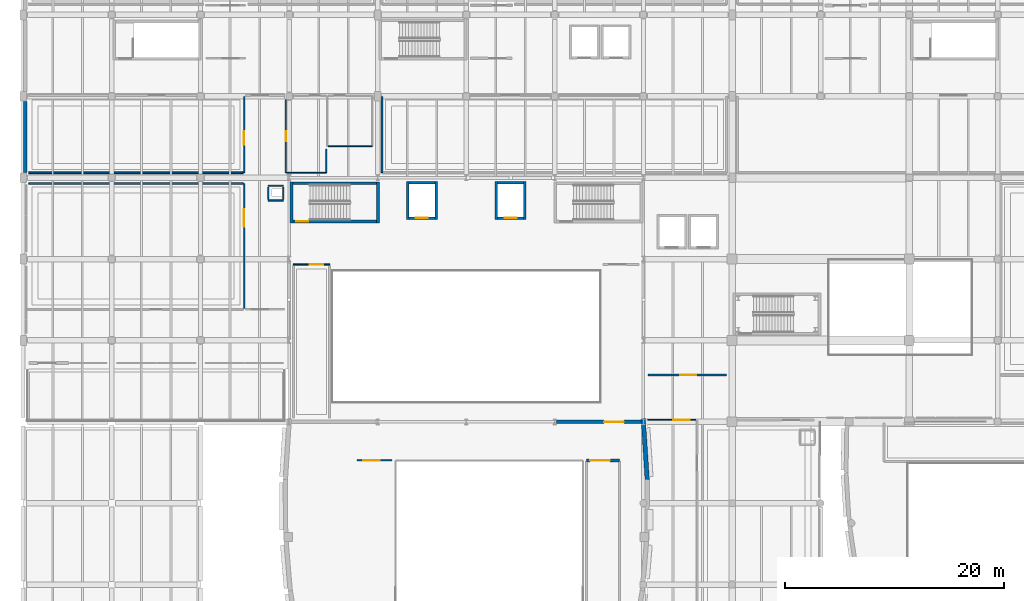
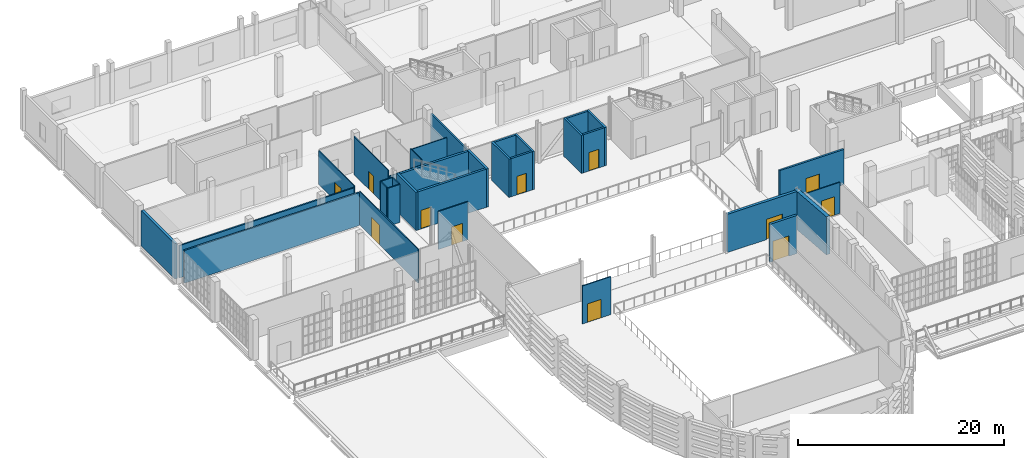
# One storey, part 88 of 104: 33 walls, 12 doors, 12 openings.
"""IFC4 building model written with IfcOpenShell, lengths in metres."""

from ifc_helpers import new_model, si_unit, direction, frame, frame_2d, origin, place, context, subcontext, project, spatial, rectangle, extrude, material, layer, layer_set, type_object, element, fill, save


model = new_model("IFC4")

# Units and contexts
model_context = context("Model", 3, precision=1e-05, world=origin(), true_north=direction((0.0, 1.0)))
body_context = subcontext(model_context, "Body", "Model", "MODEL_VIEW")
ifc_project = project(units=[si_unit("LENGTHUNIT", "METRE"), si_unit("AREAUNIT", "SQUARE_METRE"), si_unit("VOLUMEUNIT", "CUBIC_METRE"), si_unit("PLANEANGLEUNIT", "RADIAN"), si_unit("MASSUNIT", "GRAM", prefix="KILO")], contexts=[model_context])

# Site, building, storey
site_placement = place(None, origin())
site = spatial("IfcSite", under=ifc_project, at=site_placement, CompositionType="ELEMENT")
building_placement = place(site_placement, origin())
building = spatial("IfcBuilding", under=site, at=building_placement, Name="Kaelora Sail Theatre", CompositionType="ELEMENT")
storey_placement = place(building_placement, frame((0.0, 0.0, 5.39990234375)))
storey = spatial("IfcBuildingStorey", under=building, at=storey_placement, Name="L01", CompositionType="ELEMENT", Elevation=5.39990234375)

# Wall, opening, door
ifc_material_1 = material(Name="Concrete C40/50", Category="concrete")
ifc_layer_1 = layer(ifc_material_1, 0.25)
ifc_layer_set_1 = layer_set([ifc_layer_1], Name="Concrete C40/50")
wall_type_1 = type_object("IfcWallType", Name="ARC-WL-CW-250", PredefinedType="SHEAR", material=ifc_layer_set_1)
wall_1_placement = place(storey_placement, frame((26.155029296875, 79.324951171875, 0.0), z_axis=(0.0, 0.0, 1.0), x_axis=(1.0, 0.0, 0.0)))
wall_1 = element("IfcWall", 1, at=wall_1_placement, inside=storey, type_object=wall_type_1, Name="Stair shaft ST-K1 wall L01-S", PredefinedType="SHEAR", context=body_context, shape_type="SweptSolid", body=[
    extrude(rectangle(XDim=7.639892578125, YDim=0.25, at=frame_2d((3.81982421875, 0.0))), origin(), (0.0, 0.0, 1.0), 4.525146484375),
])
opening_1_placement = place(wall_1_placement, frame((0.320068359375, 0.0, 0.0)))
opening_1 = element("IfcOpeningElement", 2, at=opening_1_placement, cuts=wall_1, Name="Opening FD-02", PredefinedType="OPENING", context=body_context, shape_type="SweptSolid", body=[
    extrude(rectangle(XDim=1.10009765625, YDim=2.199951171875, at=frame_2d((0.550048828125, 1.10009765625))), frame((0.0, 0.135, 0.0), z_axis=(0.0, -1.0, 0.0), x_axis=(1.0, 0.0, 0.0)), (0.0, 0.0, 1.0), 0.27),
])
ifc_material_2 = material(Name="Acoustic steel single stair/lobby fire door EI 90-C", Category="steel")
door_type_1 = type_object("IfcDoorType", Name="ARC-DR-FD-02", OperationType="NOTDEFINED", PredefinedType="DOOR", material=ifc_material_2)
door_1_placement = place(opening_1_placement, origin())
door_1 = element("IfcDoor", 3, at=door_1_placement, inside=storey, type_object=door_type_1, Name="Stair ST-K1 door (L01)", OperationType="SINGLE_SWING_RIGHT", OverallHeight=2.199951171875, OverallWidth=1.10009765625, PredefinedType="DOOR", context=body_context, shape_type="SweptSolid", body=[
    extrude(rectangle(XDim=1.10009765625, YDim=2.199951171875, at=frame_2d((0.550048828125, 1.10009765625))), frame((0.0, 0.02490234375, 0.0), z_axis=(0.0, -1.0, 0.0), x_axis=(1.0, 0.0, 0.0)), (0.0, 0.0, 1.0), 0.050048828125),
])
fill(opening_1, door_1)

# Walls
wall_2_placement = place(storey_placement, frame((26.155029296875, 82.824951171875, 0.0), z_axis=(0.0, 0.0, 1.0), x_axis=(1.0, 0.0, 0.0)))
element("IfcWall", 4, at=wall_2_placement, inside=storey, type_object=wall_type_1, Name="Stair shaft ST-K1 wall L01-N", PredefinedType="SHEAR", context=body_context, shape_type="SweptSolid", body=[
    extrude(rectangle(XDim=7.639892578125, YDim=0.25, at=frame_2d((3.81982421875, 0.0))), origin(), (0.0, 0.0, 1.0), 4.525146484375),
])
for number, where, z_axis, x_axis, name in (
    (5, (26.02490234375, 79.199951171875, 0.0), (0.0, 0.0, 1.0), (0.0, 1.0, 0.0), "Stair shaft ST-K1 wall L01-W"),
    (6, (33.925048828125, 79.199951171875, 0.0), (0.0, 0.0, 1.0), (0.0, 1.0, 0.0), "Stair shaft ST-K1 wall L01-E"),
):
    element("IfcWall", number, at=place(storey_placement, frame(where, z_axis=z_axis, x_axis=x_axis)), inside=storey, type_object=wall_type_1, Name=name, PredefinedType="SHEAR", context=body_context, shape_type="SweptSolid", body=[
        extrude(rectangle(XDim=3.75, YDim=0.25, at=frame_2d((1.875, 0.0))), origin(), (0.0, 0.0, 1.0), 4.525146484375),
    ])

# Wall, opening, door
ifc_material_3 = material(Name="Concrete C45/55", Category="concrete")
ifc_layer_2 = layer(ifc_material_3, 0.300048828125)
ifc_layer_set_2 = layer_set([ifc_layer_2], Name="Concrete C45/55")
wall_type_2 = type_object("IfcWallType", Name="ARC-WL-CW-300", PredefinedType="SHEAR", material=ifc_layer_set_2)
wall_3_placement = place(storey_placement, frame((50.251953125, 61.02001953125, 0.0), z_axis=(0.0, 0.0, 1.0), x_axis=(1.0, 0.0, 0.0)))
wall_3 = element("IfcWall", 7, at=wall_3_placement, inside=storey, type_object=wall_type_2, Name="Proscenium fire wall L01-E", PredefinedType="SHEAR", context=body_context, shape_type="SweptSolid", body=[
    extrude(rectangle(XDim=7.796142578125, YDim=0.300048828125, at=frame_2d((3.89794921875, 0.0))), origin(), (0.0, 0.0, 1.0), 4.525146484375),
])
opening_2_placement = place(wall_3_placement, frame((4.35009765625, 0.0, 0.0)))
opening_2 = element("IfcOpeningElement", 8, at=opening_2_placement, cuts=wall_3, Name="Opening FD-03", PredefinedType="OPENING", context=body_context, shape_type="SweptSolid", body=[
    extrude(rectangle(XDim=1.800048828125, YDim=2.39990234375, at=frame_2d((0.89990234375, 1.199951171875))), frame((0.0, 0.159902, 0.0), z_axis=(0.0, -1.0, 0.0), x_axis=(1.0, 0.0, 0.0)), (0.0, 0.0, 1.0), 0.320049),
])
ifc_material_4 = material(Name="Auditorium acoustic double sound-lock fire door FD60S", Category="steel")
door_type_2 = type_object("IfcDoorType", Name="ARC-DR-FD-03", OperationType="NOTDEFINED", PredefinedType="DOOR", material=ifc_material_4)
door_2_placement = place(opening_2_placement, origin())
door_2 = element("IfcDoor", 9, at=door_2_placement, inside=storey, type_object=door_type_2, Name="Stage-to-Auditorium Fire Door L01", OperationType="DOUBLE_DOOR_SINGLE_SWING", OverallHeight=2.39990234375, OverallWidth=1.800048828125, PredefinedType="DOOR", context=body_context, shape_type="SweptSolid", body=[
    extrude(rectangle(XDim=1.800048828125, YDim=2.39990234375, at=frame_2d((0.89990234375, 1.199951171875))), frame((0.0, 0.02490234375, 0.0), z_axis=(0.0, -1.0, 0.0), x_axis=(1.0, 0.0, 0.0)), (0.0, 0.0, 1.0), 0.050048828125),
])
fill(opening_2, door_2)

# Walls
ifc_material_5 = material(Name="Concrete C50/60", Category="concrete")
ifc_layer_3 = layer(ifc_material_5, 0.39990234375)
ifc_layer_set_3 = layer_set([ifc_layer_3], Name="Concrete C50/60")
wall_type_3 = type_object("IfcWallType", Name="ARC-WL-DW-400", PredefinedType="SHEAR", material=ifc_layer_set_3)
wall_4_placement = place(storey_placement, frame((58.181884765625, 61.29931640625, 0.0), z_axis=(0.0, 0.0, 1.0), x_axis=(0.064519893008, -0.997916421053, 0.0)))
element("IfcWall", 10, at=wall_4_placement, inside=storey, type_object=wall_type_3, Name="Main Theatre Sail Drum curved drum acoustic wall L01 chord 1", PredefinedType="SHEAR", context=body_context, shape_type="SweptSolid", body=[
    extrude(rectangle(XDim=5.585205078125, YDim=0.39990234375, at=frame_2d((2.79248046875, 0.0))), origin(), (0.0, 0.0, 1.0), 4.525146484375),
])
ifc_material_6 = material(Name="Precast concrete C45/55", Category="concrete")
ifc_layer_4 = layer(ifc_material_6, 0.280029296875)
ifc_layer_set_4 = layer_set([ifc_layer_4], Name="Precast concrete C45/55")
wall_type_4 = type_object("IfcWallType", Name="ARC-WL-EW-280", PredefinedType="SOLIDWALL", material=ifc_layer_set_4)
wall_5_placement = place(storey_placement, frame((1.679931640625, 83.794921875, 0.0), z_axis=(0.0, 0.0, 1.0), x_axis=(0.0, 1.0, 0.0)))
element("IfcWall", 11, at=wall_5_placement, inside=storey, type_object=wall_type_4, Name="Stepped Wing Facade Wall WWAL-NW1-L01-S1", PredefinedType="SOLIDWALL", context=body_context, shape_type="SweptSolid", body=[
    extrude(rectangle(XDim=6.530029296875, YDim=0.280029296875, at=frame_2d((3.26513671875, 0.0))), origin(), (0.0, 0.0, 1.0), 4.18701171875),
])

# Wall, opening, door
ifc_material_7 = material(Name="Sanitary moisture-resistant partition 100 mm", Category="gypsum")
ifc_layer_5 = layer(ifc_material_7, 0.10009765625)
ifc_layer_set_5 = layer_set([ifc_layer_5], Name="Sanitary moisture-resistant partition 100 mm")
wall_type_5 = type_object("IfcWallType", Name="ARC-WL-PT-100", PredefinedType="PARTITIONING", material=ifc_layer_set_5)
wall_6_placement = place(storey_placement, frame((21.699951171875, 71.39990234375, 0.0), z_axis=(0.0, 0.0, 1.0), x_axis=(0.0, 1.0, 0.0)))
wall_6 = element("IfcWall", 12, at=wall_6_placement, inside=storey, type_object=wall_type_5, Name="Interior acoustic partition L01-FOY-WEST/L01-COR-NLINKW", PredefinedType="PARTITIONING", context=body_context, shape_type="SweptSolid", body=[
    extrude(rectangle(XDim=11.400146484375, YDim=0.10009765625, at=frame_2d((5.7001953125, 0.0))), origin(), (0.0, 0.0, 1.0), 3.987060546875),
])
opening_3_placement = place(wall_6_placement, frame((7.452880859375, 0.0, 0.0)))
opening_3 = element("IfcOpeningElement", 13, at=opening_3_placement, cuts=wall_6, Name="Opening ID-04", PredefinedType="OPENING", context=body_context, shape_type="SweptSolid", body=[
    extrude(rectangle(XDim=1.60009765625, YDim=2.300048828125, at=frame_2d((0.800048828125, 1.14990234375))), frame((0.0, 0.060049, 0.0), z_axis=(0.0, -1.0, 0.0), x_axis=(1.0, 0.0, 0.0)), (0.0, 0.0, 1.0), 0.120098),
])
ifc_material_8 = material(Name="Rehearsal hall acoustic timber double door", Category="wood")
door_type_3 = type_object("IfcDoorType", Name="ARC-DR-ID-04", OperationType="NOTDEFINED", PredefinedType="DOOR", material=ifc_material_8)
door_3_placement = place(opening_3_placement, origin())
door_3 = element("IfcDoor", 14, at=door_3_placement, inside=storey, type_object=door_type_3, Name="Interior door L01-FOY-WEST to L01-COR-NLINKW", OperationType="DOUBLE_DOOR_SINGLE_SWING", OverallHeight=2.300048828125, OverallWidth=1.60009765625, PredefinedType="DOOR", context=body_context, shape_type="SweptSolid", body=[
    extrude(rectangle(XDim=1.60009765625, YDim=2.300048828125, at=frame_2d((0.800048828125, 1.14990234375))), frame((0.0, 0.02490234375, 0.0), z_axis=(0.0, -1.0, 0.0), x_axis=(1.0, 0.0, 0.0)), (0.0, 0.0, 1.0), 0.050048828125),
])
fill(opening_3, door_3)

wall_7_placement = place(storey_placement, frame((25.5, 83.800048828125, 0.0), z_axis=(0.0, 0.0, 1.0), x_axis=(0.0, 1.0, 0.0)))
wall_7 = element("IfcWall", 15, at=wall_7_placement, inside=storey, type_object=wall_type_5, Name="Interior acoustic partition L01-COR-NLINKW/L01-WC-ART", PredefinedType="PARTITIONING", context=body_context, shape_type="SweptSolid", body=[
    extrude(rectangle(XDim=6.675048828125, YDim=0.10009765625, at=frame_2d((3.33740234375, 0.0))), origin(), (0.0, 0.0, 1.0), 4.505126953125),
])
opening_4_placement = place(wall_7_placement, frame((2.886962890625, 0.0, 0.0)))
opening_4 = element("IfcOpeningElement", 16, at=opening_4_placement, cuts=wall_7, Name="Opening ID-03", PredefinedType="OPENING", context=body_context, shape_type="SweptSolid", body=[
    extrude(rectangle(XDim=0.89990234375, YDim=2.10009765625, at=frame_2d((0.449951171875, 1.050048828125))), frame((0.0, 0.060049, 0.0), z_axis=(0.0, -1.0, 0.0), x_axis=(1.0, 0.0, 0.0)), (0.0, 0.0, 1.0), 0.120098),
])
ifc_material_9 = material(Name="Accessible sanitary laminate door", Category="timber")
door_type_4 = type_object("IfcDoorType", Name="ARC-DR-ID-03", OperationType="NOTDEFINED", PredefinedType="DOOR", material=ifc_material_9)
door_4_placement = place(opening_4_placement, origin())
door_4 = element("IfcDoor", 17, at=door_4_placement, inside=storey, type_object=door_type_4, Name="Interior door L01-COR-NLINKW to L01-WC-ART", OperationType="SINGLE_SWING_RIGHT", OverallHeight=2.10009765625, OverallWidth=0.89990234375, PredefinedType="DOOR", context=body_context, shape_type="SweptSolid", body=[
    extrude(rectangle(XDim=0.89990234375, YDim=2.10009765625, at=frame_2d((0.449951171875, 1.050048828125))), frame((0.0, 0.02490234375, 0.0), z_axis=(0.0, -1.0, 0.0), x_axis=(1.0, 0.0, 0.0)), (0.0, 0.0, 1.0), 0.050048828125),
])
fill(opening_4, door_4)

wall_8_placement = place(storey_placement, frame((58.60009765625, 61.199951171875, 0.0), z_axis=(0.0, 0.0, 1.0), x_axis=(1.0, 0.0, 0.0)))
wall_8 = element("IfcWall", 18, at=wall_8_placement, inside=storey, type_object=wall_type_5, Name="Interior acoustic partition L01-COR-INTER1/L01-COR-FOYC", PredefinedType="PARTITIONING", context=body_context, shape_type="SweptSolid", body=[
    extrude(rectangle(XDim=4.39990234375, YDim=0.10009765625, at=frame_2d((2.199951171875, 0.0))), origin(), (0.0, 0.0, 1.0), 3.68701171875),
])
opening_5_placement = place(wall_8_placement, frame((2.320068359375, 0.0, 0.0)))
opening_5 = element("IfcOpeningElement", 19, at=opening_5_placement, cuts=wall_8, Name="Opening FD-01", PredefinedType="OPENING", context=body_context, shape_type="SweptSolid", body=[
    extrude(rectangle(XDim=1.5, YDim=2.199951171875, at=frame_2d((0.75, 1.10009765625))), frame((0.0, 0.060049, 0.0), z_axis=(0.0, -1.0, 0.0), x_axis=(1.0, 0.0, 0.0)), (0.0, 0.0, 1.0), 0.120098),
])
ifc_material_10 = material(Name="Acoustic steel double fire door EI 90-C", Category="steel")
door_type_5 = type_object("IfcDoorType", Name="ARC-DR-FD-01", OperationType="NOTDEFINED", PredefinedType="DOOR", material=ifc_material_10)
door_5_placement = place(opening_5_placement, origin())
door_5 = element("IfcDoor", 20, at=door_5_placement, inside=storey, type_object=door_type_5, Name="Interior door L01-COR-INTER1 to L01-COR-FOYC", OperationType="DOUBLE_DOOR_SINGLE_SWING", OverallHeight=2.199951171875, OverallWidth=1.5, PredefinedType="DOOR", context=body_context, shape_type="SweptSolid", body=[
    extrude(rectangle(XDim=1.5, YDim=2.199951171875, at=frame_2d((0.75, 1.10009765625))), frame((0.0, 0.02490234375, 0.0), z_axis=(0.0, -1.0, 0.0), x_axis=(1.0, 0.0, 0.0)), (0.0, 0.0, 1.0), 0.050048828125),
])
fill(opening_5, door_5)

# Walls
wall_9_placement = place(storey_placement, frame((25.60009765625, 83.800048828125, 0.0), z_axis=(0.0, 0.0, 1.0), x_axis=(1.0, 0.0, 0.0)))
element("IfcWall", 21, at=wall_9_placement, inside=storey, type_object=wall_type_5, Name="Room enclosure wall L01-WC-ART-S1", PredefinedType="PARTITIONING", context=body_context, shape_type="SweptSolid", body=[
    extrude(rectangle(XDim=3.599853515625, YDim=0.10009765625, at=frame_2d((1.7998046875, 0.0))), origin(), (0.0, 0.0, 1.0), 3.837158203125),
])
wall_10_placement = place(storey_placement, frame((29.199951171875, 83.800048828125, 0.0), z_axis=(0.0, 0.0, 1.0), x_axis=(0.0, 1.0, 0.0)))
element("IfcWall", 22, at=wall_10_placement, inside=storey, type_object=wall_type_5, Name="Room enclosure wall L01-WC-ART-E1", PredefinedType="PARTITIONING", context=body_context, shape_type="SweptSolid", body=[
    extrude(rectangle(XDim=2.14990234375, YDim=0.10009765625, at=frame_2d((1.074951171875, 0.0))), origin(), (0.0, 0.0, 1.0), 4.505126953125),
])
wall_11_placement = place(storey_placement, frame((29.39990234375, 86.199951171875, 0.0), z_axis=(0.0, 0.0, 1.0), x_axis=(1.0, 0.0, 0.0)))
element("IfcWall", 23, at=wall_11_placement, inside=storey, type_object=wall_type_5, Name="Room enclosure wall L01-WC-ARTACC-S1", PredefinedType="PARTITIONING", context=body_context, shape_type="SweptSolid", body=[
    extrude(rectangle(XDim=4.0, YDim=0.10009765625, at=frame_2d((2.0, 0.0))), origin(), (0.0, 0.0, 1.0), 4.18701171875),
])

# Wall, opening, door
ifc_material_11 = material(Name="Office acoustic stud partition 110 mm", Category="gypsum")
ifc_layer_6 = layer(ifc_material_11, 0.110107421875)
ifc_layer_set_6 = layer_set([ifc_layer_6], Name="Office acoustic stud partition 110 mm")
wall_type_6 = type_object("IfcWallType", Name="ARC-WL-PT-110", PredefinedType="PARTITIONING", material=ifc_layer_set_6)
wall_12_placement = place(storey_placement, frame((21.699951171875, 83.800048828125, 0.0), z_axis=(0.0, 0.0, 1.0), x_axis=(0.0, 1.0, 0.0)))
wall_12 = element("IfcWall", 24, at=wall_12_placement, inside=storey, type_object=wall_type_6, Name="Interior acoustic partition L01-COR-NLINKW/L01-VOCAL-W", PredefinedType="PARTITIONING", context=body_context, shape_type="SweptSolid", body=[
    extrude(rectangle(XDim=6.949951171875, YDim=0.110107421875, at=frame_2d((3.47509765625, 0.0))), origin(), (0.0, 0.0, 1.0), 3.987060546875),
])
opening_6_placement = place(wall_12_placement, frame((2.553955078125, 0.0, 0.0)))
opening_6 = element("IfcOpeningElement", 25, at=opening_6_placement, cuts=wall_12, Name="Opening ID-11", PredefinedType="OPENING", context=body_context, shape_type="SweptSolid", body=[
    extrude(rectangle(XDim=1.25, YDim=2.14990234375, at=frame_2d((0.625, 1.074951171875))), frame((0.0, 0.065176, 0.0), z_axis=(0.0, -1.0, 0.0), x_axis=(1.0, 0.0, 0.0)), (0.0, 0.0, 1.0), 0.130107),
])
ifc_material_12 = material(Name="Plant & rack room steel single door", Category="steel")
door_type_6 = type_object("IfcDoorType", Name="ARC-DR-ID-11", OperationType="NOTDEFINED", PredefinedType="DOOR", material=ifc_material_12)
door_6_placement = place(opening_6_placement, origin())
door_6 = element("IfcDoor", 26, at=door_6_placement, inside=storey, type_object=door_type_6, Name="Interior door L01-COR-NLINKW to L01-VOCAL-W", OperationType="SINGLE_SWING_LEFT", OverallHeight=2.14990234375, OverallWidth=1.25, PredefinedType="DOOR", context=body_context, shape_type="SweptSolid", body=[
    extrude(rectangle(XDim=1.25, YDim=2.14990234375, at=frame_2d((0.625, 1.074951171875))), frame((0.0, 0.02490234375, 0.0), z_axis=(0.0, -1.0, 0.0), x_axis=(1.0, 0.0, 0.0)), (0.0, 0.0, 1.0), 0.050048828125),
])
fill(opening_6, door_6)

# Walls
ifc_material_13 = material(Name="Standard metal-stud partition 120 mm", Category="gypsum")
ifc_layer_7 = layer(ifc_material_13, 0.1201171875)
ifc_layer_set_7 = layer_set([ifc_layer_7], Name="Standard metal-stud partition 120 mm")
wall_type_7 = type_object("IfcWallType", Name="ARC-WL-PT-120", PredefinedType="PARTITIONING", material=ifc_layer_set_7)
for number, where, z_axis, x_axis, name in (
    (27, (23.905029296875, 81.2451171875, 0.0), (0.0, 0.0, 1.0), (1.0, 0.0, 0.0), "MEP riser shaft wall FW1-L01-S"),
    (28, (23.905029296875, 82.60498046875, 0.0), (0.0, 0.0, 1.0), (1.0, 0.0, 0.0), "MEP riser shaft wall FW1-L01-N"),
):
    element("IfcWall", number, at=place(storey_placement, frame(where, z_axis=z_axis, x_axis=x_axis)), inside=storey, type_object=wall_type_7, Name=name, PredefinedType="PARTITIONING", context=body_context, shape_type="SweptSolid", body=[
        extrude(rectangle(XDim=1.35986328125, YDim=0.1201171875, at=frame_2d((0.679931640625, 0.0))), origin(), (0.0, 0.0, 1.0), 4.505126953125),
    ])
for number, where, z_axis, x_axis, name in (
    (29, (23.905029296875, 81.364990234375, 0.0), (0.0, 0.0, 1.0), (0.0, 1.0, 0.0), "MEP riser shaft wall FW1-L01-W"),
    (30, (25.264892578125, 81.364990234375, 0.0), (0.0, 0.0, 1.0), (0.0, 1.0, 0.0), "MEP riser shaft wall FW1-L01-E"),
):
    element("IfcWall", number, at=place(storey_placement, frame(where, z_axis=z_axis, x_axis=x_axis)), inside=storey, type_object=wall_type_7, Name=name, PredefinedType="PARTITIONING", context=body_context, shape_type="SweptSolid", body=[
        extrude(rectangle(XDim=1.1201171875, YDim=0.1201171875, at=frame_2d((0.56005859375, 0.0))), origin(), (0.0, 0.0, 1.0), 4.505126953125),
    ])

# Wall, opening, door
wall_13_placement = place(storey_placement, frame((26.199951171875, 75.39990234375, 0.0), z_axis=(0.0, 0.0, 1.0), x_axis=(1.0, 0.0, 0.0)))
wall_13 = element("IfcWall", 31, at=wall_13_placement, inside=storey, type_object=wall_type_7, Name="Interior acoustic partition L01-FLY-GAL1/L01-COR-FLY", PredefinedType="PARTITIONING", context=body_context, shape_type="SweptSolid", body=[
    extrude(rectangle(XDim=3.300048828125, YDim=0.1201171875, at=frame_2d((1.64990234375, 0.0))), origin(), (0.0, 0.0, 1.0), 4.505126953125),
])
opening_7_placement = place(wall_13_placement, frame((1.469970703125, 0.0, 0.0)))
opening_7 = element("IfcOpeningElement", 32, at=opening_7_placement, cuts=wall_13, Name="Opening ID-11", PredefinedType="OPENING", context=body_context, shape_type="SweptSolid", body=[
    extrude(rectangle(XDim=1.25, YDim=2.14990234375, at=frame_2d((0.625, 1.074951171875))), frame((0.0, 0.070059, 0.0), z_axis=(0.0, -1.0, 0.0), x_axis=(1.0, 0.0, 0.0)), (0.0, 0.0, 1.0), 0.140117),
])
door_7_placement = place(opening_7_placement, origin())
door_7 = element("IfcDoor", 33, at=door_7_placement, inside=storey, type_object=door_type_6, Name="Interior door L01-FLY-GAL1 to L01-COR-FLY", OperationType="SINGLE_SWING_RIGHT", OverallHeight=2.14990234375, OverallWidth=1.25, PredefinedType="DOOR", context=body_context, shape_type="SweptSolid", body=[
    extrude(rectangle(XDim=1.25, YDim=2.14990234375, at=frame_2d((0.625, 1.074951171875))), frame((0.0, 0.02490234375, 0.0), z_axis=(0.0, -1.0, 0.0), x_axis=(1.0, 0.0, 0.0)), (0.0, 0.0, 1.0), 0.050048828125),
])
fill(opening_7, door_7)

ifc_material_14 = material(Name="Dressing room acoustic partition 130 mm", Category="gypsum")
ifc_layer_8 = layer(ifc_material_14, 0.1298828125)
ifc_layer_set_8 = layer_set([ifc_layer_8], Name="Dressing room acoustic partition 130 mm")
wall_type_8 = type_object("IfcWallType", Name="ARC-WL-PT-130", PredefinedType="PARTITIONING", material=ifc_layer_set_8)
wall_14_placement = place(storey_placement, frame((32.0, 57.5, 0.0), z_axis=(0.0, 0.0, 1.0), x_axis=(1.0, 0.0, 0.0)))
wall_14 = element("IfcWall", 34, at=wall_14_placement, inside=storey, type_object=wall_type_8, Name="Interior acoustic partition L01-GAL-MAIN-W/L01-MAIN-LOB", PredefinedType="PARTITIONING", context=body_context, shape_type="SweptSolid", body=[
    extrude(rectangle(XDim=3.199951171875, YDim=0.1298828125, at=frame_2d((1.60009765625, 0.0))), origin(), (0.0, 0.0, 1.0), 4.505126953125),
])
opening_8_placement = place(wall_14_placement, frame((0.580078125, 0.0, 0.0)))
opening_8 = element("IfcOpeningElement", 35, at=opening_8_placement, cuts=wall_14, Name="Opening FD-01", PredefinedType="OPENING", context=body_context, shape_type="SweptSolid", body=[
    extrude(rectangle(XDim=1.5, YDim=2.199951171875, at=frame_2d((0.75, 1.10009765625))), frame((0.0, 0.074941, 0.0), z_axis=(0.0, -1.0, 0.0), x_axis=(1.0, 0.0, 0.0)), (0.0, 0.0, 1.0), 0.149883),
])
door_8_placement = place(opening_8_placement, origin())
door_8 = element("IfcDoor", 36, at=door_8_placement, inside=storey, type_object=door_type_5, Name="Interior door L01-GAL-MAIN-W to L01-MAIN-LOB", OperationType="DOUBLE_DOOR_SINGLE_SWING", OverallHeight=2.199951171875, OverallWidth=1.5, PredefinedType="DOOR", context=body_context, shape_type="SweptSolid", body=[
    extrude(rectangle(XDim=1.5, YDim=2.199951171875, at=frame_2d((0.75, 1.10009765625))), frame((0.0, 0.02490234375, 0.0), z_axis=(0.0, -1.0, 0.0), x_axis=(1.0, 0.0, 0.0)), (0.0, 0.0, 1.0), 0.050048828125),
])
fill(opening_8, door_8)

# Walls
ifc_material_15 = material(Name="Acoustic metal-stud plasterboard 160 mm", Category="gypsum")
ifc_layer_9 = layer(ifc_material_15, 0.159912109375)
ifc_layer_set_9 = layer_set([ifc_layer_9], Name="Acoustic metal-stud plasterboard 160 mm")
wall_type_9 = type_object("IfcWallType", Name="ARC-WL-PT-160", PredefinedType="PARTITIONING", material=ifc_layer_set_9)
wall_15_placement = place(storey_placement, frame((2.0, 82.800048828125, 0.0), z_axis=(0.0, 0.0, 1.0), x_axis=(1.0, 0.0, 0.0)))
element("IfcWall", 37, at=wall_15_placement, inside=storey, type_object=wall_type_9, Name="Room enclosure wall L01-FOY-WEST-N1", PredefinedType="PARTITIONING", context=body_context, shape_type="SweptSolid", body=[
    extrude(rectangle(XDim=19.60009765625, YDim=0.159912109375, at=frame_2d((9.800048828125, 0.0))), origin(), (0.0, 0.0, 1.0), 3.88720703125),
])
wall_16_placement = place(storey_placement, frame((2.0, 83.800048828125, 0.0), z_axis=(0.0, 0.0, 1.0), x_axis=(1.0, 0.0, 0.0)))
element("IfcWall", 38, at=wall_16_placement, inside=storey, type_object=wall_type_9, Name="Room enclosure wall L01-VOCAL-W-S1", PredefinedType="PARTITIONING", context=body_context, shape_type="SweptSolid", body=[
    extrude(rectangle(XDim=19.60009765625, YDim=0.159912109375, at=frame_2d((9.800048828125, 0.0))), origin(), (0.0, 0.0, 1.0), 3.837158203125),
])
wall_17_placement = place(storey_placement, frame((34.300048828125, 83.800048828125, 0.0), z_axis=(0.0, 0.0, 1.0), x_axis=(0.0, 1.0, 0.0)))
element("IfcWall", 39, at=wall_17_placement, inside=storey, type_object=wall_type_9, Name="Room enclosure wall L01-WIG-MAKEUP-W1", PredefinedType="PARTITIONING", context=body_context, shape_type="SweptSolid", body=[
    extrude(rectangle(XDim=6.949951171875, YDim=0.159912109375, at=frame_2d((3.47509765625, 0.0))), origin(), (0.0, 0.0, 1.0), 3.987060546875),
])

# Wall, opening, door
ifc_material_16 = material(Name="Studio box-in-box acoustic partition 215 mm", Category="gypsum")
ifc_layer_10 = layer(ifc_material_16, 0.215087890625)
ifc_layer_set_10 = layer_set([ifc_layer_10], Name="Studio box-in-box acoustic partition 215 mm")
wall_type_10 = type_object("IfcWallType", Name="ARC-WL-PT-215", PredefinedType="PARTITIONING", material=ifc_layer_set_10)
wall_18_placement = place(storey_placement, frame((58.60009765625, 65.300048828125, 0.0), z_axis=(0.0, 0.0, 1.0), x_axis=(1.0, 0.0, 0.0)))
wall_18 = element("IfcWall", 40, at=wall_18_placement, inside=storey, type_object=wall_type_10, Name="Interior acoustic partition L01-COR-FOYC/L01-COR-LINK", PredefinedType="PARTITIONING", context=body_context, shape_type="SweptSolid", body=[
    extrude(rectangle(XDim=7.199951171875, YDim=0.215087890625, at=frame_2d((3.60009765625, 0.0))), origin(), (0.0, 0.0, 1.0), 4.156982421875),
])
opening_9_placement = place(wall_18_placement, frame((2.948974609375, 0.0, 0.0)))
opening_9 = element("IfcOpeningElement", 41, at=opening_9_placement, cuts=wall_18, Name="Opening FD-01", PredefinedType="OPENING", context=body_context, shape_type="SweptSolid", body=[
    extrude(rectangle(XDim=1.5, YDim=2.199951171875, at=frame_2d((0.75, 1.10009765625))), frame((0.0, 0.117422, 0.0), z_axis=(0.0, -1.0, 0.0), x_axis=(1.0, 0.0, 0.0)), (0.0, 0.0, 1.0), 0.235088),
])
door_9_placement = place(opening_9_placement, origin())
door_9 = element("IfcDoor", 42, at=door_9_placement, inside=storey, type_object=door_type_5, Name="Interior door L01-COR-FOYC to L01-COR-LINK", OperationType="DOUBLE_DOOR_SINGLE_SWING", OverallHeight=2.199951171875, OverallWidth=1.5, PredefinedType="DOOR", context=body_context, shape_type="SweptSolid", body=[
    extrude(rectangle(XDim=1.5, YDim=2.199951171875, at=frame_2d((0.75, 1.10009765625))), frame((0.0, 0.02490234375, 0.0), z_axis=(0.0, -1.0, 0.0), x_axis=(1.0, 0.0, 0.0)), (0.0, 0.0, 1.0), 0.050048828125),
])
fill(opening_9, door_9)

ifc_material_17 = material(Name="Concrete C45/55", Category="concrete")
ifc_layer_11 = layer(ifc_material_17, 0.27001953125)
ifc_layer_set_11 = layer_set([ifc_layer_11], Name="Concrete C45/55")
wall_type_11 = type_object("IfcWallType", Name="ARC-WL-PW-270", PredefinedType="SOLIDWALL", material=ifc_layer_set_11)
wall_19_placement = place(storey_placement, frame((53.0, 57.5, 0.0), z_axis=(0.0, 0.0, 1.0), x_axis=(1.0, 0.0, 0.0)))
wall_19 = element("IfcWall", 43, at=wall_19_placement, inside=storey, type_object=wall_type_11, Name="Interior acoustic partition L01-GAL-MAIN-E/L01-MAIN-LOB", PredefinedType="SOLIDWALL", context=body_context, shape_type="SweptSolid", body=[
    extrude(rectangle(XDim=3.0, YDim=0.27001953125, at=frame_2d((1.5, 0.0))), origin(), (0.0, 0.0, 1.0), 4.505126953125),
])
opening_10_placement = place(wall_19_placement, frame((0.320068359375, 0.0, 0.0)))
opening_10 = element("IfcOpeningElement", 44, at=opening_10_placement, cuts=wall_19, Name="Opening FD-03", PredefinedType="OPENING", context=body_context, shape_type="SweptSolid", body=[
    extrude(rectangle(XDim=1.800048828125, YDim=2.39990234375, at=frame_2d((0.89990234375, 1.199951171875))), frame((0.0, 0.14501, 0.0), z_axis=(0.0, -1.0, 0.0), x_axis=(1.0, 0.0, 0.0)), (0.0, 0.0, 1.0), 0.29002),
])
door_10_placement = place(opening_10_placement, origin())
door_10 = element("IfcDoor", 45, at=door_10_placement, inside=storey, type_object=door_type_2, Name="Interior door L01-GAL-MAIN-E to L01-MAIN-LOB", OperationType="DOUBLE_DOOR_SINGLE_SWING", OverallHeight=2.39990234375, OverallWidth=1.800048828125, PredefinedType="DOOR", context=body_context, shape_type="SweptSolid", body=[
    extrude(rectangle(XDim=1.800048828125, YDim=2.39990234375, at=frame_2d((0.89990234375, 1.199951171875))), frame((0.0, 0.02490234375, 0.0), z_axis=(0.0, -1.0, 0.0), x_axis=(1.0, 0.0, 0.0)), (0.0, 0.0, 1.0), 0.050048828125),
])
fill(opening_10, door_10)

ifc_material_18 = material(Name="Concrete C40/50", Category="concrete")
ifc_layer_12 = layer(ifc_material_18, 0.219970703125)
ifc_layer_set_12 = layer_set([ifc_layer_12], Name="Concrete C40/50")
wall_type_12 = type_object("IfcWallType", Name="ARC-WL-SW-220", PredefinedType="SOLIDWALL", material=ifc_layer_set_12)
wall_20_placement = place(storey_placement, frame((36.75, 79.639892578125, 0.0), z_axis=(0.0, 0.0, 1.0), x_axis=(1.0, 0.0, 0.0)))
wall_20 = element("IfcWall", 46, at=wall_20_placement, inside=storey, type_object=wall_type_12, Name="Lift FFL-01 shaft wall L01-S", PredefinedType="SOLIDWALL", context=body_context, shape_type="SweptSolid", body=[
    extrude(rectangle(XDim=2.39990234375, YDim=0.219970703125, at=frame_2d((1.199951171875, 0.0))), origin(), (0.0, 0.0, 1.0), 4.525146484375),
])
opening_11_placement = place(wall_20_placement, frame((0.64990234375, 0.0, 0.0)))
opening_11 = element("IfcOpeningElement", 47, at=opening_11_placement, cuts=wall_20, Name="Opening LD-FFL", PredefinedType="OPENING", context=body_context, shape_type="SweptSolid", body=[
    extrude(rectangle(XDim=1.10009765625, YDim=2.199951171875, at=frame_2d((0.550048828125, 1.10009765625))), frame((0.0, 0.119863, 0.0), z_axis=(0.0, -1.0, 0.0), x_axis=(1.0, 0.0, 0.0)), (0.0, 0.0, 1.0), 0.239971),
])
ifc_material_19 = material(Name="Stainless steel firefighting lift landing door EI 120", Category="steel")
door_type_7 = type_object("IfcDoorType", Name="ARC-DR-LD-FFL", OperationType="NOTDEFINED", PredefinedType="DOOR", material=ifc_material_19)
door_11_placement = place(opening_11_placement, origin())
door_11 = element("IfcDoor", 48, at=door_11_placement, inside=storey, type_object=door_type_7, Name="Lift FFL-01 sliding landing door (L01)", OperationType="SLIDING_TO_LEFT", OverallHeight=2.199951171875, OverallWidth=1.10009765625, PredefinedType="DOOR", context=body_context, shape_type="SweptSolid", body=[
    extrude(rectangle(XDim=1.10009765625, YDim=2.199951171875, at=frame_2d((0.550048828125, 1.10009765625))), frame((0.0, 0.02490234375, 0.0), z_axis=(0.0, -1.0, 0.0), x_axis=(1.0, 0.0, 0.0)), (0.0, 0.0, 1.0), 0.050048828125),
])
fill(opening_11, door_11)

# Walls
wall_21_placement = place(storey_placement, frame((36.75, 82.860107421875, 0.0), z_axis=(0.0, 0.0, 1.0), x_axis=(1.0, 0.0, 0.0)))
element("IfcWall", 49, at=wall_21_placement, inside=storey, type_object=wall_type_12, Name="Lift FFL-01 shaft wall L01-N", PredefinedType="SOLIDWALL", context=body_context, shape_type="SweptSolid", body=[
    extrude(rectangle(XDim=2.39990234375, YDim=0.219970703125, at=frame_2d((1.199951171875, 0.0))), origin(), (0.0, 0.0, 1.0), 4.525146484375),
])
for number, where, z_axis, x_axis, name in (
    (50, (36.639892578125, 79.530029296875, 0.0), (0.0, 0.0, 1.0), (0.0, 1.0, 0.0), "Lift FFL-01 shaft wall L01-W"),
    (51, (39.260009765625, 79.530029296875, 0.0), (0.0, 0.0, 1.0), (0.0, 1.0, 0.0), "Lift FFL-01 shaft wall L01-E"),
):
    element("IfcWall", number, at=place(storey_placement, frame(where, z_axis=z_axis, x_axis=x_axis)), inside=storey, type_object=wall_type_12, Name=name, PredefinedType="SOLIDWALL", context=body_context, shape_type="SweptSolid", body=[
        extrude(rectangle(XDim=3.43994140625, YDim=0.219970703125, at=frame_2d((1.719970703125, 0.0))), origin(), (0.0, 0.0, 1.0), 4.525146484375),
    ])

# Wall, opening, door
wall_22_placement = place(storey_placement, frame((44.85009765625, 79.639892578125, 0.0), z_axis=(0.0, 0.0, 1.0), x_axis=(1.0, 0.0, 0.0)))
wall_22 = element("IfcWall", 52, at=wall_22_placement, inside=storey, type_object=wall_type_12, Name="Lift FFL-02 shaft wall L01-S", PredefinedType="SOLIDWALL", context=body_context, shape_type="SweptSolid", body=[
    extrude(rectangle(XDim=2.39990234375, YDim=0.219970703125, at=frame_2d((1.199951171875, 0.0))), origin(), (0.0, 0.0, 1.0), 4.525146484375),
])
opening_12_placement = place(wall_22_placement, frame((0.64990234375, 0.0, 0.0)))
opening_12 = element("IfcOpeningElement", 53, at=opening_12_placement, cuts=wall_22, Name="Opening LD-FFL", PredefinedType="OPENING", context=body_context, shape_type="SweptSolid", body=[
    extrude(rectangle(XDim=1.10009765625, YDim=2.199951171875, at=frame_2d((0.550048828125, 1.10009765625))), frame((0.0, 0.119863, 0.0), z_axis=(0.0, -1.0, 0.0), x_axis=(1.0, 0.0, 0.0)), (0.0, 0.0, 1.0), 0.239971),
])
door_12_placement = place(opening_12_placement, origin())
door_12 = element("IfcDoor", 54, at=door_12_placement, inside=storey, type_object=door_type_7, Name="Lift FFL-02 sliding landing door (L01)", OperationType="SLIDING_TO_LEFT", OverallHeight=2.199951171875, OverallWidth=1.10009765625, PredefinedType="DOOR", context=body_context, shape_type="SweptSolid", body=[
    extrude(rectangle(XDim=1.10009765625, YDim=2.199951171875, at=frame_2d((0.550048828125, 1.10009765625))), frame((0.0, 0.02490234375, 0.0), z_axis=(0.0, -1.0, 0.0), x_axis=(1.0, 0.0, 0.0)), (0.0, 0.0, 1.0), 0.050048828125),
])
fill(opening_12, door_12)

# Walls
wall_23_placement = place(storey_placement, frame((44.85009765625, 82.860107421875, 0.0), z_axis=(0.0, 0.0, 1.0), x_axis=(1.0, 0.0, 0.0)))
element("IfcWall", 55, at=wall_23_placement, inside=storey, type_object=wall_type_12, Name="Lift FFL-02 shaft wall L01-N", PredefinedType="SOLIDWALL", context=body_context, shape_type="SweptSolid", body=[
    extrude(rectangle(XDim=2.39990234375, YDim=0.219970703125, at=frame_2d((1.199951171875, 0.0))), origin(), (0.0, 0.0, 1.0), 4.525146484375),
])
for number, where, z_axis, x_axis, name in (
    (56, (44.739990234375, 79.530029296875, 0.0), (0.0, 0.0, 1.0), (0.0, 1.0, 0.0), "Lift FFL-02 shaft wall L01-W"),
    (57, (47.360107421875, 79.530029296875, 0.0), (0.0, 0.0, 1.0), (0.0, 1.0, 0.0), "Lift FFL-02 shaft wall L01-E"),
):
    element("IfcWall", number, at=place(storey_placement, frame(where, z_axis=z_axis, x_axis=x_axis)), inside=storey, type_object=wall_type_12, Name=name, PredefinedType="SOLIDWALL", context=body_context, shape_type="SweptSolid", body=[
        extrude(rectangle(XDim=3.43994140625, YDim=0.219970703125, at=frame_2d((1.719970703125, 0.0))), origin(), (0.0, 0.0, 1.0), 4.525146484375),
    ])

save(model, "model.ifc")
